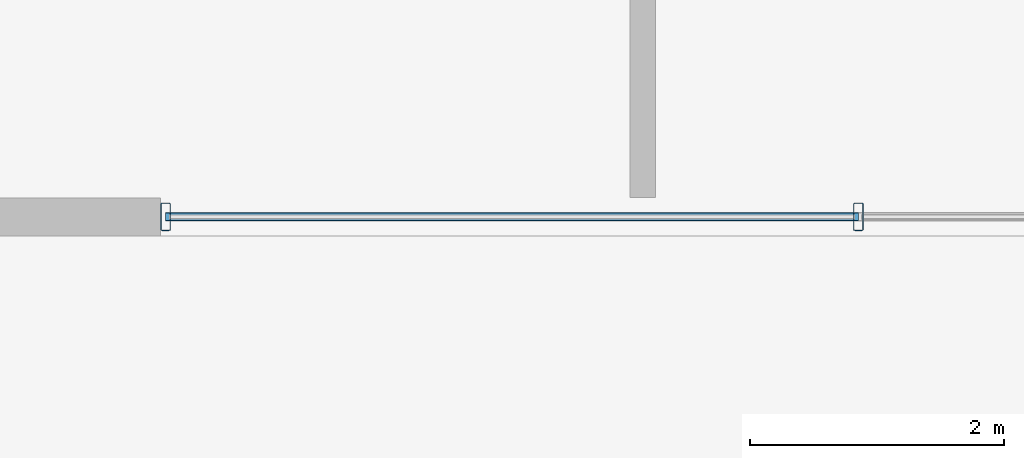
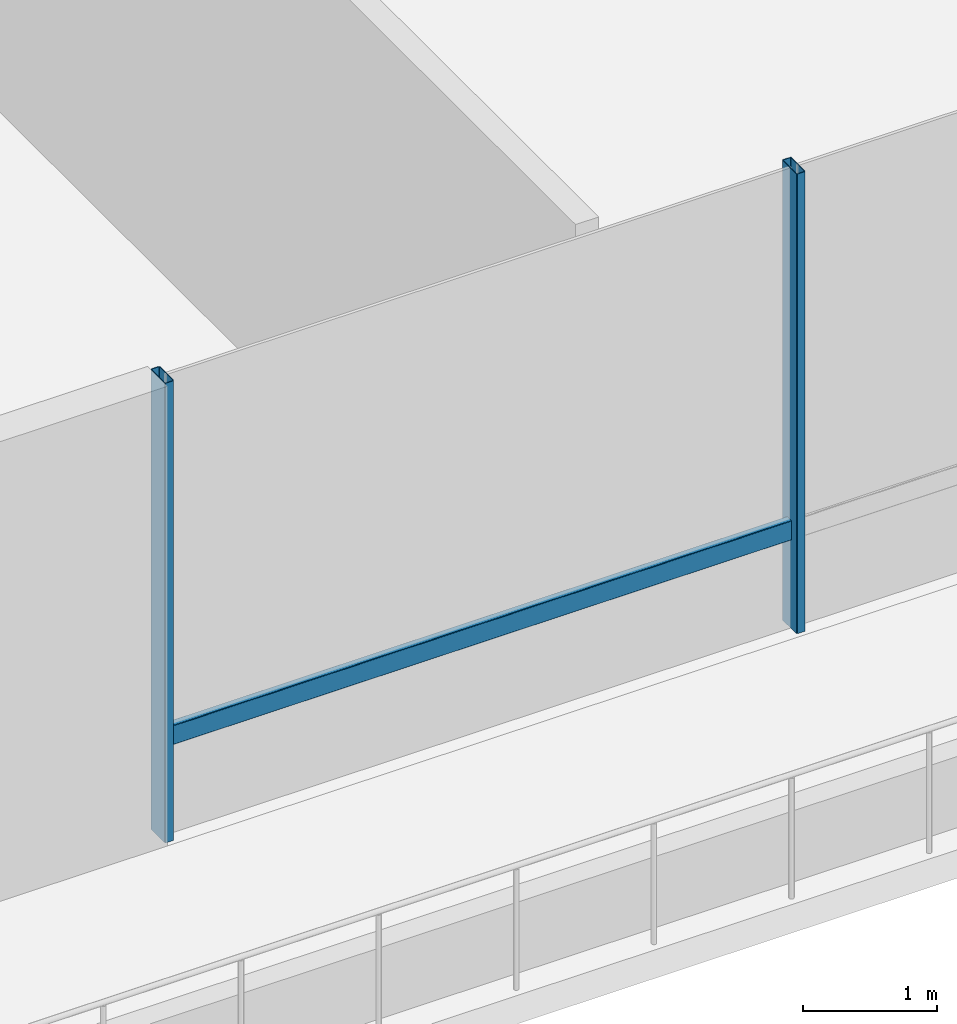
# One storey, part 7 of 43: 3 members, 1 element without a shape of its own.
"""IFC4 building model written with IfcOpenShell, lengths in metres."""

from ifc_helpers import new_model, si_unit, direction, frame, origin, origin_2d, place, context, subcontext, project, spatial, hollow_rectangle, extrude, material, layer, layer_set, material_profile, profile_set, type_object, element, aggregate, save


model = new_model("IFC4")

# Units and contexts
model_context = context("Model", 3, precision=1e-05, world=origin(), true_north=direction((0.0, 1.0)))
body_context = subcontext(model_context, "Body", "Model", "MODEL_VIEW")
ifc_project = project(units=[si_unit("LENGTHUNIT", "METRE"), si_unit("AREAUNIT", "SQUARE_METRE"), si_unit("VOLUMEUNIT", "CUBIC_METRE"), si_unit("PLANEANGLEUNIT", "RADIAN"), si_unit("MASSUNIT", "GRAM", prefix="KILO")], contexts=[model_context])

# Site, building, storey
site_placement = place(None, origin())
site = spatial("IfcSite", under=ifc_project, at=site_placement, CompositionType="ELEMENT")
building_placement = place(site_placement, origin())
building = spatial("IfcBuilding", under=site, at=building_placement, Name="Korimba Cascade Residences", CompositionType="ELEMENT")
storey_placement = place(building_placement, frame((0.0, 0.0, 10.0)))
storey = spatial("IfcBuildingStorey", under=building, at=storey_placement, Name="L02", CompositionType="ELEMENT", Elevation=10.0)

# Curtain wall, members
ifc_material_1 = material(Name="Anodised Aluminium Curtain Wall Framing", Category="aluminium")
ifc_layer = layer(ifc_material_1, 0.179931640625)
ifc_layer_set = layer_set([ifc_layer], Name="Anodised Aluminium Curtain Wall Framing")
curtain_wall_type = type_object("IfcCurtainWallType", Name="CW-POD-SYS1", PredefinedType="NOTDEFINED", material=ifc_layer_set)
curtain_wall_placement = place(storey_placement, origin())
curtain_wall = element("IfcCurtainWall", 1, at=curtain_wall_placement, inside=storey, type_object=curtain_wall_type, Name="L02 Curtain Wall CW-L02-POD-S", PredefinedType="NOTDEFINED")
ifc_material_2 = material(Name="Anodised Aluminium Mullion", Category="aluminium")
ifc_material_profile_1 = material_profile(ifc_material_2, hollow_rectangle(XDim=0.080078125, YDim=0.219970703125, WallThickness=0.00634765625, InnerFilletRadius=0.00634765625, OuterFilletRadius=0.0126953125, at=origin_2d()), Name="Anodised Aluminium Mullion")
ifc_profile_set_1 = profile_set([ifc_material_profile_1], Name="Anodised Aluminium Mullion")
member_type_1 = type_object("IfcMemberType", Name="CWM-MUL-220", PredefinedType="MULLION", material=ifc_profile_set_1)
member_1_placement = place(storey_placement, frame((88.0400390625, -20.35009765625, 0.0), z_axis=(0.0, 0.0, 1.0), x_axis=(1.0, 0.0, 0.0)))
member_1 = element("IfcMember", 2, at=member_1_placement, type_object=member_type_1, Name="CW-L02-POD-S Mullion 1", PredefinedType="MULLION", context=body_context, shape_type="SweptSolid", body=[
    extrude(hollow_rectangle(XDim=0.080078125, YDim=0.219970703125, WallThickness=0.00634765625, InnerFilletRadius=0.00634765625, OuterFilletRadius=0.0126953125, at=origin_2d()), origin(), (0.0, 0.0, 1.0), 4.199951171875),
])
member_2_placement = place(storey_placement, frame((93.5, -20.35009765625, 0.0), z_axis=(0.0, 0.0, 1.0), x_axis=(1.0, 0.0, 0.0)))
member_2 = element("IfcMember", 3, at=member_2_placement, type_object=member_type_1, Name="CW-L02-POD-S Mullion 2", PredefinedType="MULLION", context=body_context, shape_type="SweptSolid", body=[
    extrude(hollow_rectangle(XDim=0.080078125, YDim=0.219970703125, WallThickness=0.00634765625, InnerFilletRadius=0.00634765625, OuterFilletRadius=0.0126953125, at=origin_2d()), origin(), (0.0, 0.0, 1.0), 4.199951171875),
])
ifc_material_3 = material(Name="Anodised Aluminium Transom", Category="aluminium")
ifc_material_profile_2 = material_profile(ifc_material_3, hollow_rectangle(XDim=0.070068359375, YDim=0.179931640625, WallThickness=0.0048828125, InnerFilletRadius=0.0048828125, OuterFilletRadius=0.010009765625, at=origin_2d()), Name="Anodised Aluminium Transom")
ifc_profile_set_2 = profile_set([ifc_material_profile_2], Name="Anodised Aluminium Transom")
member_type_2 = type_object("IfcMemberType", Name="CWM-TRN-150", PredefinedType="USERDEFINED", material=ifc_profile_set_2)
member_3_placement = place(storey_placement, frame((88.0400390625, -20.35009765625, 0.89990234375), z_axis=(1.0, 0.0, 0.0), x_axis=(0.0, 1.0, 0.0)))
member_3 = element("IfcMember", 4, at=member_3_placement, type_object=member_type_2, Name="CW-L02-POD-S Transom 1", ObjectType="TRANSOM", PredefinedType="USERDEFINED", context=body_context, shape_type="SweptSolid", body=[
    extrude(hollow_rectangle(XDim=0.070068359375, YDim=0.179931640625, WallThickness=0.0048828125, InnerFilletRadius=0.0048828125, OuterFilletRadius=0.010009765625, at=origin_2d()), origin(), (0.0, 0.0, 1.0), 5.4599609375),
])
aggregate(curtain_wall, [member_1, member_2, member_3])

save(model, "model.ifc")
